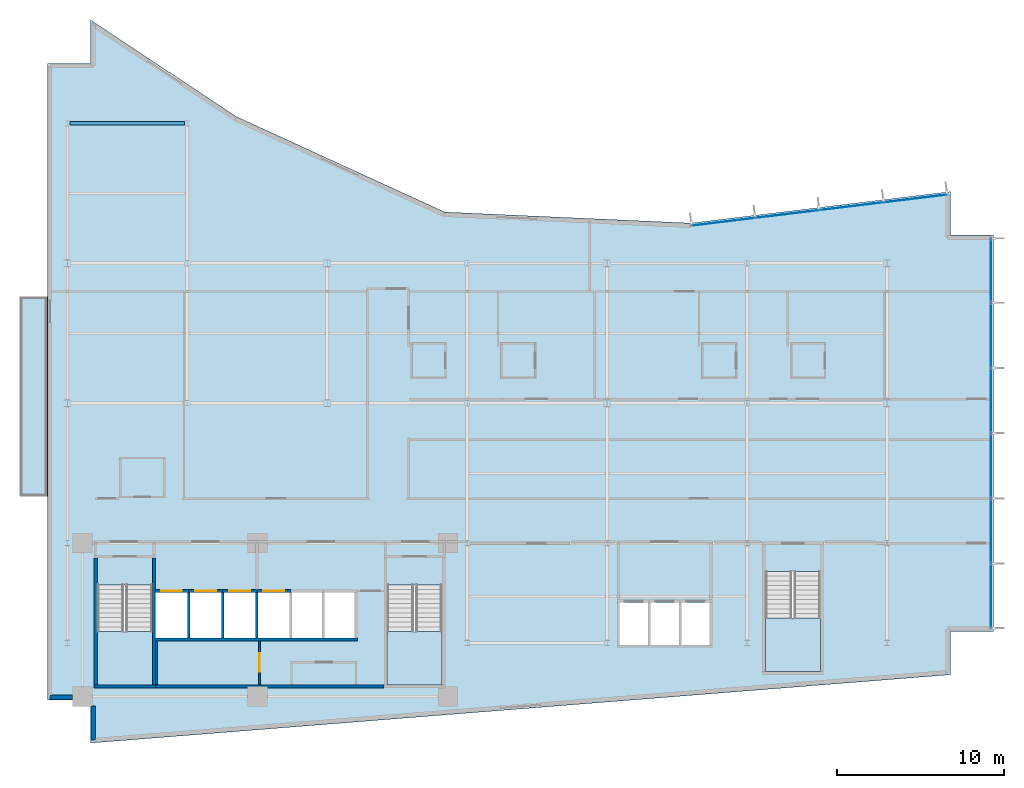
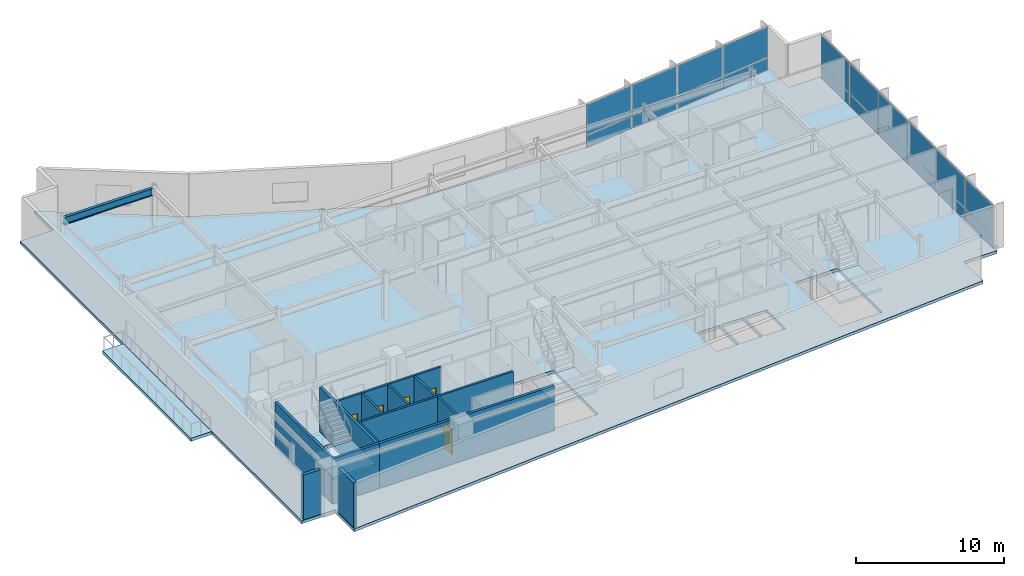
# One storey, part 9 of 17: 20 plates, 16 walls, 5 doors, 5 slabs, 1 beam, 5 openings, 5 elements without a shape of their own.
"""IFC4 building model written with IfcOpenShell, lengths in metres."""

import ifcopenshell
import ifcopenshell.guid

model = None  # the IFC model being written
_history = None  # IfcOwnerHistory: only IFC2X3 demands one
_inside = {}  # id of a spatial element -> (the spatial element, [elements in it])
_under = {}  # id of a project, library or spatial element -> (it, [spatial elements below it])
_declared = {}  # id of a project -> (the project, [libraries it declares])
_typed = {}  # id of a type object -> (the type object, [elements of that type])
_made_of = {}  # id of a material, layer set ... -> (it, [elements and type objects made of it])


def new_model(schema):
    """Start an empty IFC model of exactly this schema.

    Asked for "IFC4X3", IfcOpenShell would pick the latest addendum, in which some entities
    have other attributes; the version numbers below select the first issue.
    IFC2X3 requires an IfcOwnerHistory on every rooted entity: one is made here for all.
    """
    global model, _history
    if schema == "IFC4X3":
        model = ifcopenshell.file(schema_version=(4, 3, 0, 0))
    else:
        model = ifcopenshell.file(schema=schema)
    _inside.clear()
    _under.clear()
    _declared.clear()
    _typed.clear()
    _made_of.clear()
    _history = None
    if model.schema == "IFC2X3":
        org = make("IfcOrganization", Name="unknown")
        user = make(
            "IfcPersonAndOrganization",
            ThePerson=make("IfcPerson", FamilyName="unknown"),
            TheOrganization=org,
        )
        app = make(
            "IfcApplication",
            ApplicationDeveloper=org,
            Version="unknown",
            ApplicationFullName="unknown",
            ApplicationIdentifier="unknown",
        )
        _history = make(
            "IfcOwnerHistory",
            OwningUser=user,
            OwningApplication=app,
            ChangeAction="ADDED",
            CreationDate=0,
        )
    return model


def make(cls, **values):
    """One entity of the class cls with the attributes given. An attribute that is None is left unset."""
    return model.create_entity(
        cls, **{name: value for name, value in values.items() if value is not None}
    )


def rooted(cls, **values):
    """An entity with a GlobalId (a new one), such as an element, a storey or a relation."""
    return make(cls, GlobalId=ifcopenshell.guid.new(), OwnerHistory=_history, **values)


def si_unit(unit_type, name, prefix=None):
    """IfcSIUnit, for example si_unit("LENGTHUNIT", "METRE", prefix="MILLI")."""
    return make("IfcSIUnit", UnitType=unit_type, Prefix=prefix, Name=name)


def assignment(units):
    """IfcUnitAssignment: the units of a project."""
    return None if units is None else make("IfcUnitAssignment", Units=units)


def point(xyz):
    """IfcCartesianPoint."""
    return None if xyz is None else make("IfcCartesianPoint", Coordinates=xyz)


def direction(xyz):
    """IfcDirection."""
    return None if xyz is None else make("IfcDirection", DirectionRatios=xyz)


def frame(location, z_axis=None, x_axis=None):
    """IfcAxis2Placement3D, a coordinate frame: its origin and axes. An axis left out is left unset."""
    return make(
        "IfcAxis2Placement3D",
        Location=point(location),
        Axis=direction(z_axis),
        RefDirection=direction(x_axis),
    )


def frame_2d(location, x_axis=None):
    """IfcAxis2Placement2D, a coordinate frame in the plane: its origin and x axis."""
    return make(
        "IfcAxis2Placement2D", Location=point(location), RefDirection=direction(x_axis)
    )


def origin():
    """The frame at (0, 0, 0) with its axes left unset."""
    return frame((0.0, 0.0, 0.0))


def origin_2d():
    """The frame at (0, 0) in the plane with its x axis left unset."""
    return frame_2d((0.0, 0.0))


def place(relative_to, where):
    """IfcLocalPlacement: puts the frame where relative to a parent placement (None: the world)."""
    return make(
        "IfcLocalPlacement", PlacementRelTo=relative_to, RelativePlacement=where
    )


def context(
    kind, dimensions, precision=None, world=None, true_north=None, identifier=None
):
    """IfcGeometricRepresentationContext, for example the 3D "Model" context."""
    return make(
        "IfcGeometricRepresentationContext",
        ContextIdentifier=identifier,
        ContextType=kind,
        CoordinateSpaceDimension=dimensions,
        Precision=precision,
        WorldCoordinateSystem=world,
        TrueNorth=true_north,
    )


def subcontext(parent, identifier, kind, view, scale=None):
    """IfcGeometricRepresentationSubContext, for example "Body" below "Model"."""
    return make(
        "IfcGeometricRepresentationSubContext",
        ContextIdentifier=identifier,
        ContextType=kind,
        ParentContext=parent,
        TargetScale=scale,
        TargetView=view,
    )


def project(units=None, contexts=None):
    """IfcProject with its units and contexts."""
    return rooted(
        "IfcProject",
        Name="project",
        RepresentationContexts=contexts,
        UnitsInContext=assignment(units),
    )


def spatial(cls, under=None, at=None, **own):
    """A site, building, storey or space (cls), placed at a placement, below another one or the project."""
    s = rooted(cls, ObjectPlacement=at, **own)
    if under is not None:
        _under.setdefault(under.id(), (under, []))[1].append(s)
    return s


def polyline(points):
    """IfcPolyline through the points."""
    return make("IfcPolyline", Points=[point(p) for p in points])


def profile(cls, at=None, kind="AREA", **sizes):
    """A parametric profile (cls). Its sizes go by their IFC names, for example OverallWidth=200.0."""
    return make(cls, ProfileType=kind, Position=at, **sizes)


def rectangle(**sizes):
    """IfcRectangleProfileDef."""
    return profile("IfcRectangleProfileDef", **sizes)


def i_section(**sizes):
    """IfcIShapeProfileDef."""
    return profile("IfcIShapeProfileDef", **sizes)


def outline(outer, holes=None, kind="AREA"):
    """IfcArbitraryClosedProfileDef: a profile drawn as a closed curve; with holes, ...WithVoids."""
    if holes is None:
        return make("IfcArbitraryClosedProfileDef", ProfileType=kind, OuterCurve=outer)
    return make(
        "IfcArbitraryProfileDefWithVoids",
        ProfileType=kind,
        OuterCurve=outer,
        InnerCurves=holes,
    )


def extrude(swept, where, along, depth):
    """IfcExtrudedAreaSolid: the profile swept, set in the frame where, extruded along a direction by depth."""
    return make(
        "IfcExtrudedAreaSolid",
        SweptArea=swept,
        Position=where,
        ExtrudedDirection=direction(along),
        Depth=depth,
    )


def shape(context_of_items, identifier, shape_type, items):
    """IfcShapeRepresentation: the items that make up one representation, for example the "Body"."""
    return make(
        "IfcShapeRepresentation",
        ContextOfItems=context_of_items,
        RepresentationIdentifier=identifier,
        RepresentationType=shape_type,
        Items=items,
    )


def material(Name=None, Category=None):
    """IfcMaterial."""
    return make("IfcMaterial", Name=Name, Category=Category)


def layer(
    of_material, thickness, ventilated=None, Name=None, Category=None, Priority=None
):
    """IfcMaterialLayer: one layer of a wall or slab, of a material (None: an air gap)."""
    return make(
        "IfcMaterialLayer",
        Material=of_material,
        LayerThickness=thickness,
        IsVentilated=ventilated,
        Name=Name,
        Category=Category,
        Priority=Priority,
    )


def layer_set(layers, Name=None):
    """IfcMaterialLayerSet."""
    return make("IfcMaterialLayerSet", MaterialLayers=layers, LayerSetName=Name)


def material_profile(
    of_material, cross_section, Name=None, Category=None, Priority=None
):
    """IfcMaterialProfile: a cross section and its material."""
    return make(
        "IfcMaterialProfile",
        Name=Name,
        Material=of_material,
        Profile=cross_section,
        Priority=Priority,
        Category=Category,
    )


def profile_set(profiles, Name=None, composite=None):
    """IfcMaterialProfileSet."""
    return make(
        "IfcMaterialProfileSet",
        Name=Name,
        MaterialProfiles=profiles,
        CompositeProfile=composite,
    )


def made_of(thing, what):
    """Note that an element or type object is made of a material, layer set ...; save() writes the relation."""
    if what is not None:
        _made_of.setdefault(what.id(), (what, []))[1].append(thing)
    return thing


def type_object(cls, material=None, **own):
    """A type object (cls), such as IfcWallType, which elements share."""
    return made_of(rooted(cls, **own), material)


def element(
    cls,
    number,
    at=None,
    inside=None,
    cuts=None,
    type_object=None,
    material=None,
    context=None,
    identifier="Body",
    shape_type=None,
    held_by="IfcProductDefinitionShape",
    body=None,
    shapes=None,
    **own,
):
    """One element of the class cls, such as IfcWall. Its Tag is "e" and its number.

    at: its placement. inside: the storey or other place that contains it. cuts: it is an
    opening in that element (IfcRelVoidsElement). A single representation is given by context,
    identifier, shape_type and body (its items); several are given by shapes. held_by: the class
    of the entity that holds the representations. save() writes the other relations.
    """
    e = rooted(cls, Tag="e%d" % number, ObjectPlacement=at, **own)
    if body is not None:
        shapes = [shape(context, identifier, shape_type, body)]
    if shapes is not None:
        e.Representation = make(held_by, Representations=shapes)
    if inside is not None:
        _inside.setdefault(inside.id(), (inside, []))[1].append(e)
    if cuts is not None:
        rooted(
            "IfcRelVoidsElement", RelatingBuildingElement=cuts, RelatedOpeningElement=e
        )
    if type_object is not None:
        _typed.setdefault(type_object.id(), (type_object, []))[1].append(e)
    return made_of(e, material)


def fill(opening, filler):
    """IfcRelFillsElement: the door or window that sits in an opening."""
    return rooted(
        "IfcRelFillsElement",
        RelatingOpeningElement=opening,
        RelatedBuildingElement=filler,
    )


def aggregate(whole, parts):
    """IfcRelAggregates: a whole, such as a stair, and the parts it consists of."""
    return rooted("IfcRelAggregates", RelatingObject=whole, RelatedObjects=parts)


def save(model, path):
    """Write the relations noted so far, then the file.

    IfcRelAggregates (storeys below a building ...), IfcRelContainedInSpatialStructure (elements
    in a storey), IfcRelDefinesByType, IfcRelAssociatesMaterial and IfcRelDeclares: one each for
    every whole, place, type object, material and project.
    """
    for whole, parts in _under.values():
        aggregate(whole, parts)
    for where, things in _inside.values():
        rooted(
            "IfcRelContainedInSpatialStructure",
            RelatedElements=things,
            RelatingStructure=where,
        )
    for kind, things in _typed.values():
        rooted("IfcRelDefinesByType", RelatedObjects=things, RelatingType=kind)
    for what, things in _made_of.values():
        rooted("IfcRelAssociatesMaterial", RelatedObjects=things, RelatingMaterial=what)
    for by, libraries in _declared.values():
        rooted("IfcRelDeclares", RelatingContext=by, RelatedDefinitions=libraries)
    model.write(path)


model = new_model("IFC4")

# Units and contexts
model_context = context("Model", 3, precision=1e-05, world=origin(), true_north=direction((0.0, 1.0)))
body_context = subcontext(model_context, "Body", "Model", "MODEL_VIEW")
ifc_project = project(units=[si_unit("LENGTHUNIT", "METRE"), si_unit("AREAUNIT", "SQUARE_METRE"), si_unit("VOLUMEUNIT", "CUBIC_METRE"), si_unit("PLANEANGLEUNIT", "RADIAN"), si_unit("MASSUNIT", "GRAM", prefix="KILO")], contexts=[model_context])

# Site, building, storey
site_placement = place(None, origin())
site = spatial("IfcSite", under=ifc_project, at=site_placement, CompositionType="ELEMENT")
building_placement = place(site_placement, origin())
building = spatial("IfcBuilding", under=site, at=building_placement, Name="Varnakote Quay Hospital", CompositionType="ELEMENT")
storey_placement = place(building_placement, frame((0.0, 0.0, 146.800048828125)))
storey = spatial("IfcBuildingStorey", under=building, at=storey_placement, Name="L36", CompositionType="ELEMENT", Elevation=146.800048828125)

# Beam
ifc_material_1 = material(Name="Structural steel AS/NZS 3679.1 Grade 350 L0 (fy 340 MPa)", Category="steel")
ifc_material_profile = material_profile(ifc_material_1, i_section(OverallWidth=0.22802734375, OverallDepth=0.60205078125, WebThickness=0.010498046875, FlangeThickness=0.014892578125, FilletRadius=0.013916015625, at=origin_2d()), Name="610UB101")
ifc_profile_set = profile_set([ifc_material_profile], Name="Structural steel AS/NZS 3679.1 Grade 350 L0 (fy 340 MPa)")
beam_type = type_object("IfcBeamType", Name="BM-STL-610UB101", PredefinedType="BEAM", material=ifc_profile_set)
beam_placement = place(storey_placement, frame((1.353515625, 37.199951171875, 3.408935546875), z_axis=(1.0, 0.0, 0.0), x_axis=(0.0, 1.0, 0.0)))
element("IfcBeam", 1, at=beam_placement, inside=storey, type_object=beam_type, Name="L36 Primary Floor Beam", PredefinedType="BEAM", context=body_context, shape_type="SweptSolid", body=[
    extrude(i_section(OverallWidth=0.22802734375, OverallDepth=0.60205078125, WebThickness=0.010498046875, FlangeThickness=0.014892578125, FilletRadius=0.013916015625, at=origin_2d()), origin(), (0.0, 0.0, 1.0), 6.89306640625),
])

# Curtain wall, plates
ifc_material_2 = material(Name="Anodised aluminium 6063-T6 Bronze", Category="aluminium")
ifc_layer_1 = layer(ifc_material_2, 0.205078125)
ifc_layer_set_1 = layer_set([ifc_layer_1], Name="Anodised aluminium 6063-T6 Bronze")
curtain_wall_type = type_object("IfcCurtainWallType", Name="CW-SYS-3", PredefinedType="NOTDEFINED", material=ifc_layer_set_1)
curtain_wall_1_placement = place(storey_placement, origin())
curtain_wall_1 = element("IfcCurtainWall", 2, at=curtain_wall_1_placement, inside=storey, type_object=curtain_wall_type, Name="L36 Unitised Bronze Curtain Wall 1", PredefinedType="NOTDEFINED")
ifc_material_3 = material(Name="Double-glazed low-E solar glass", Category="glass")
ifc_layer_2 = layer(ifc_material_3, 0.028076171875)
ifc_layer_set_2 = layer_set([ifc_layer_2], Name="Double-glazed low-E solar glass")
plate_type = type_object("IfcPlateType", Name="CW-PNL-GLZ-28", PredefinedType="CURTAIN_PANEL", material=ifc_layer_set_2)
plate_1_placement = place(storey_placement, frame((56.639892578125, 8.83544921875, 0.07470703125), z_axis=(0.0, 0.0, 1.0), x_axis=(0.0, 1.0, 0.0)))
plate_1 = element("IfcPlate", 3, at=plate_1_placement, type_object=plate_type, Name="-3-L36-1 panel 1.1", PredefinedType="CURTAIN_PANEL", context=body_context, shape_type="SweptSolid", body=[
    extrude(rectangle(XDim=3.80078125, YDim=0.028076171875, at=origin_2d()), origin(), (0.0, 0.0, 1.0), 0.987548828125),
])
plate_2_placement = place(storey_placement, frame((56.639892578125, 8.83544921875, 1.137451171875), z_axis=(0.0, 0.0, 1.0), x_axis=(0.0, 1.0, 0.0)))
plate_2 = element("IfcPlate", 4, at=plate_2_placement, type_object=plate_type, Name="-3-L36-1 panel 1.2", PredefinedType="CURTAIN_PANEL", context=body_context, shape_type="SweptSolid", body=[
    extrude(rectangle(XDim=3.80078125, YDim=0.028076171875, at=origin_2d()), origin(), (0.0, 0.0, 1.0), 2.49755859375),
])
plate_3_placement = place(storey_placement, frame((56.639892578125, 12.72998046875, 0.07470703125), z_axis=(0.0, 0.0, 1.0), x_axis=(0.0, 1.0, 0.0)))
plate_3 = element("IfcPlate", 5, at=plate_3_placement, type_object=plate_type, Name="-3-L36-1 panel 2.1", PredefinedType="CURTAIN_PANEL", context=body_context, shape_type="SweptSolid", body=[
    extrude(rectangle(XDim=3.83837890625, YDim=0.028076171875, at=origin_2d()), origin(), (0.0, 0.0, 1.0), 0.987548828125),
])
plate_4_placement = place(storey_placement, frame((56.639892578125, 12.72998046875, 1.137451171875), z_axis=(0.0, 0.0, 1.0), x_axis=(0.0, 1.0, 0.0)))
plate_4 = element("IfcPlate", 6, at=plate_4_placement, type_object=plate_type, Name="-3-L36-1 panel 2.2", PredefinedType="CURTAIN_PANEL", context=body_context, shape_type="SweptSolid", body=[
    extrude(rectangle(XDim=3.83837890625, YDim=0.028076171875, at=origin_2d()), origin(), (0.0, 0.0, 1.0), 2.49755859375),
])
plate_5_placement = place(storey_placement, frame((56.639892578125, 16.643310546875, 0.07470703125), z_axis=(0.0, 0.0, 1.0), x_axis=(0.0, 1.0, 0.0)))
plate_5 = element("IfcPlate", 7, at=plate_5_placement, type_object=plate_type, Name="-3-L36-1 panel 3.1", PredefinedType="CURTAIN_PANEL", context=body_context, shape_type="SweptSolid", body=[
    extrude(rectangle(XDim=3.83837890625, YDim=0.028076171875, at=origin_2d()), origin(), (0.0, 0.0, 1.0), 0.987548828125),
])
plate_6_placement = place(storey_placement, frame((56.639892578125, 16.643310546875, 1.137451171875), z_axis=(0.0, 0.0, 1.0), x_axis=(0.0, 1.0, 0.0)))
plate_6 = element("IfcPlate", 8, at=plate_6_placement, type_object=plate_type, Name="-3-L36-1 panel 3.2", PredefinedType="CURTAIN_PANEL", context=body_context, shape_type="SweptSolid", body=[
    extrude(rectangle(XDim=3.83837890625, YDim=0.028076171875, at=origin_2d()), origin(), (0.0, 0.0, 1.0), 2.49755859375),
])
plate_7_placement = place(storey_placement, frame((56.639892578125, 20.556640625, 0.07470703125), z_axis=(0.0, 0.0, 1.0), x_axis=(0.0, 1.0, 0.0)))
plate_7 = element("IfcPlate", 9, at=plate_7_placement, type_object=plate_type, Name="-3-L36-1 panel 4.1", PredefinedType="CURTAIN_PANEL", context=body_context, shape_type="SweptSolid", body=[
    extrude(rectangle(XDim=3.83837890625, YDim=0.028076171875, at=origin_2d()), origin(), (0.0, 0.0, 1.0), 0.987548828125),
])
plate_8_placement = place(storey_placement, frame((56.639892578125, 20.556640625, 1.137451171875), z_axis=(0.0, 0.0, 1.0), x_axis=(0.0, 1.0, 0.0)))
plate_8 = element("IfcPlate", 10, at=plate_8_placement, type_object=plate_type, Name="-3-L36-1 panel 4.2", PredefinedType="CURTAIN_PANEL", context=body_context, shape_type="SweptSolid", body=[
    extrude(rectangle(XDim=3.83837890625, YDim=0.028076171875, at=origin_2d()), origin(), (0.0, 0.0, 1.0), 2.49755859375),
])
plate_9_placement = place(storey_placement, frame((56.639892578125, 24.469970703125, 0.07470703125), z_axis=(0.0, 0.0, 1.0), x_axis=(0.0, 1.0, 0.0)))
plate_9 = element("IfcPlate", 11, at=plate_9_placement, type_object=plate_type, Name="-3-L36-1 panel 5.1", PredefinedType="CURTAIN_PANEL", context=body_context, shape_type="SweptSolid", body=[
    extrude(rectangle(XDim=3.83837890625, YDim=0.028076171875, at=origin_2d()), origin(), (0.0, 0.0, 1.0), 0.987548828125),
])
plate_10_placement = place(storey_placement, frame((56.639892578125, 24.469970703125, 1.137451171875), z_axis=(0.0, 0.0, 1.0), x_axis=(0.0, 1.0, 0.0)))
plate_10 = element("IfcPlate", 12, at=plate_10_placement, type_object=plate_type, Name="-3-L36-1 panel 5.2", PredefinedType="CURTAIN_PANEL", context=body_context, shape_type="SweptSolid", body=[
    extrude(rectangle(XDim=3.83837890625, YDim=0.028076171875, at=origin_2d()), origin(), (0.0, 0.0, 1.0), 2.49755859375),
])
plate_11_placement = place(storey_placement, frame((56.639892578125, 28.364501953125, 0.07470703125), z_axis=(0.0, 0.0, 1.0), x_axis=(0.0, 1.0, 0.0)))
plate_11 = element("IfcPlate", 13, at=plate_11_placement, type_object=plate_type, Name="-3-L36-1 panel 6.1", PredefinedType="CURTAIN_PANEL", context=body_context, shape_type="SweptSolid", body=[
    extrude(rectangle(XDim=3.80078125, YDim=0.028076171875, at=origin_2d()), origin(), (0.0, 0.0, 1.0), 0.987548828125),
])
plate_12_placement = place(storey_placement, frame((56.639892578125, 28.364501953125, 1.137451171875), z_axis=(0.0, 0.0, 1.0), x_axis=(0.0, 1.0, 0.0)))
plate_12 = element("IfcPlate", 14, at=plate_12_placement, type_object=plate_type, Name="-3-L36-1 panel 6.2", PredefinedType="CURTAIN_PANEL", context=body_context, shape_type="SweptSolid", body=[
    extrude(rectangle(XDim=3.80078125, YDim=0.028076171875, at=origin_2d()), origin(), (0.0, 0.0, 1.0), 2.49755859375),
])
aggregate(curtain_wall_1, [plate_1, plate_2, plate_3, plate_4, plate_5, plate_6, plate_7, plate_8, plate_9, plate_10, plate_11, plate_12])

curtain_wall_2_placement = place(storey_placement, origin())
curtain_wall_2 = element("IfcCurtainWall", 15, at=curtain_wall_2_placement, inside=storey, type_object=curtain_wall_type, Name="L36 Unitised Bronze Curtain Wall 2", PredefinedType="NOTDEFINED")
plate_13_placement = place(storey_placement, frame((52.09521484375, 32.68359375, 0.07470703125), z_axis=(0.0, 0.0, 1.0), x_axis=(-0.992734295067, -0.12032713492, 0.0)))
plate_13 = element("IfcPlate", 16, at=plate_13_placement, type_object=plate_type, Name="-3-L36-2 panel 1.1", PredefinedType="CURTAIN_PANEL", context=body_context, shape_type="SweptSolid", body=[
    extrude(rectangle(XDim=3.76806640625, YDim=0.028076171875, at=origin_2d()), origin(), (0.0, 0.0, 1.0), 0.987548828125),
])
plate_14_placement = place(storey_placement, frame((52.09521484375, 32.68359375, 1.137451171875), z_axis=(0.0, 0.0, 1.0), x_axis=(-0.992734295067, -0.12032713492, 0.0)))
plate_14 = element("IfcPlate", 17, at=plate_14_placement, type_object=plate_type, Name="-3-L36-2 panel 1.2", PredefinedType="CURTAIN_PANEL", context=body_context, shape_type="SweptSolid", body=[
    extrude(rectangle(XDim=3.76806640625, YDim=0.028076171875, at=origin_2d()), origin(), (0.0, 0.0, 1.0), 2.49755859375),
])
plate_15_placement = place(storey_placement, frame((48.26123046875, 32.218994140625, 0.07470703125), z_axis=(0.0, 0.0, 1.0), x_axis=(-0.992734295067, -0.12032713492, 0.0)))
plate_15 = element("IfcPlate", 18, at=plate_15_placement, type_object=plate_type, Name="-3-L36-2 panel 2.1", PredefinedType="CURTAIN_PANEL", context=body_context, shape_type="SweptSolid", body=[
    extrude(rectangle(XDim=3.8056640625, YDim=0.028076171875, at=origin_2d()), origin(), (0.0, 0.0, 1.0), 0.987548828125),
])
plate_16_placement = place(storey_placement, frame((48.26123046875, 32.218994140625, 1.137451171875), z_axis=(0.0, 0.0, 1.0), x_axis=(-0.992734295067, -0.12032713492, 0.0)))
plate_16 = element("IfcPlate", 19, at=plate_16_placement, type_object=plate_type, Name="-3-L36-2 panel 2.2", PredefinedType="CURTAIN_PANEL", context=body_context, shape_type="SweptSolid", body=[
    extrude(rectangle(XDim=3.8056640625, YDim=0.028076171875, at=origin_2d()), origin(), (0.0, 0.0, 1.0), 2.49755859375),
])
plate_17_placement = place(storey_placement, frame((44.40869140625, 31.751953125, 0.07470703125), z_axis=(0.0, 0.0, 1.0), x_axis=(-0.992734295067, -0.12032713492, 0.0)))
plate_17 = element("IfcPlate", 20, at=plate_17_placement, type_object=plate_type, Name="-3-L36-2 panel 3.1", PredefinedType="CURTAIN_PANEL", context=body_context, shape_type="SweptSolid", body=[
    extrude(rectangle(XDim=3.8056640625, YDim=0.028076171875, at=origin_2d()), origin(), (0.0, 0.0, 1.0), 0.987548828125),
])
plate_18_placement = place(storey_placement, frame((44.40869140625, 31.751953125, 1.137451171875), z_axis=(0.0, 0.0, 1.0), x_axis=(-0.992734295067, -0.12032713492, 0.0)))
plate_18 = element("IfcPlate", 21, at=plate_18_placement, type_object=plate_type, Name="-3-L36-2 panel 3.2", PredefinedType="CURTAIN_PANEL", context=body_context, shape_type="SweptSolid", body=[
    extrude(rectangle(XDim=3.8056640625, YDim=0.028076171875, at=origin_2d()), origin(), (0.0, 0.0, 1.0), 2.49755859375),
])
plate_19_placement = place(storey_placement, frame((40.574951171875, 31.287353515625, 0.07470703125), z_axis=(0.0, 0.0, 1.0), x_axis=(-0.992734295067, -0.12032713492, 0.0)))
plate_19 = element("IfcPlate", 22, at=plate_19_placement, type_object=plate_type, Name="-3-L36-2 panel 4.1", PredefinedType="CURTAIN_PANEL", context=body_context, shape_type="SweptSolid", body=[
    extrude(rectangle(XDim=3.76806640625, YDim=0.028076171875, at=origin_2d()), origin(), (0.0, 0.0, 1.0), 0.987548828125),
])
plate_20_placement = place(storey_placement, frame((40.574951171875, 31.287353515625, 1.137451171875), z_axis=(0.0, 0.0, 1.0), x_axis=(-0.992734295067, -0.12032713492, 0.0)))
plate_20 = element("IfcPlate", 23, at=plate_20_placement, type_object=plate_type, Name="-3-L36-2 panel 4.2", PredefinedType="CURTAIN_PANEL", context=body_context, shape_type="SweptSolid", body=[
    extrude(rectangle(XDim=3.76806640625, YDim=0.028076171875, at=origin_2d()), origin(), (0.0, 0.0, 1.0), 2.49755859375),
])
aggregate(curtain_wall_2, [plate_13, plate_14, plate_15, plate_16, plate_17, plate_18, plate_19, plate_20])

# Stair, slab
ifc_material_4 = material(Name="Concrete N40 (f'c 40 MPa)", Category="concrete")
stair_type = type_object("IfcStairType", Name="STR-CORE-1580", PredefinedType="HALF_TURN_STAIR", material=ifc_material_4)
stair_1_placement = place(storey_placement, origin())
stair_1 = element("IfcStair", 24, at=stair_1_placement, inside=storey, type_object=stair_type, Name="L36 Fire-Isolated Exit Stair ST-01", PredefinedType="HALF_TURN_STAIR")
ifc_material_5 = material(Name="Concrete N40 (f'c 40 MPa)", Category="concrete")
ifc_layer_3 = layer(ifc_material_5, 0.199951171875)
ifc_layer_set_3 = layer_set([ifc_layer_3], Name="Concrete N40 (f'c 40 MPa)")
slab_type_1 = type_object("IfcSlabType", Name="SLB-STAIR-LND-200", PredefinedType="LANDING", material=ifc_layer_set_3)
slab_1_placement = place(storey_placement, frame((0.0, 0.0, 1.77490234375)))
slab_1 = element("IfcSlab", 25, at=slab_1_placement, type_object=slab_type_1, Name="ST-01 landing 1", PredefinedType="LANDING", context=body_context, shape_type="SweptSolid", body=[
    extrude(outline(polyline([(3.0, 6.699951171875), (3.0, 3.5), (6.300048828125, 3.5), (6.300048828125, 6.699951171875), (3.0, 6.699951171875)])), origin(), (0.0, 0.0, 1.0), 0.199951171875),
])
aggregate(stair_1, [slab_1])

stair_2_placement = place(storey_placement, origin())
stair_2 = element("IfcStair", 26, at=stair_2_placement, inside=storey, type_object=stair_type, Name="L36 Fire-Isolated Exit Stair ST-02", PredefinedType="HALF_TURN_STAIR")
slab_2_placement = place(storey_placement, frame((0.0, 0.0, 1.77490234375)))
slab_2 = element("IfcSlab", 27, at=slab_2_placement, type_object=slab_type_1, Name="ST-02 landing 1", PredefinedType="LANDING", context=body_context, shape_type="SweptSolid", body=[
    extrude(outline(polyline([(20.39990234375, 6.699951171875), (20.39990234375, 3.5), (23.699951171875, 3.5), (23.699951171875, 6.699951171875), (20.39990234375, 6.699951171875)])), origin(), (0.0, 0.0, 1.0), 0.199951171875),
])
aggregate(stair_2, [slab_2])

stair_3_placement = place(storey_placement, origin())
stair_3 = element("IfcStair", 28, at=stair_3_placement, inside=storey, type_object=stair_type, Name="L36 Fire-Isolated Exit Stair ST-03", PredefinedType="HALF_TURN_STAIR")
slab_3_placement = place(storey_placement, frame((0.0, 0.0, 1.77490234375)))
slab_3 = element("IfcSlab", 29, at=slab_3_placement, type_object=slab_type_1, Name="ST-03 landing 1", PredefinedType="LANDING", context=body_context, shape_type="SweptSolid", body=[
    extrude(outline(polyline([(43.10009765625, 7.5), (43.10009765625, 4.300048828125), (46.39990234375, 4.300048828125), (46.39990234375, 7.5), (43.10009765625, 7.5)])), origin(), (0.0, 0.0, 1.0), 0.199951171875),
])
aggregate(stair_3, [slab_3])

# Slabs
ifc_material_6 = material(Name="Concrete N50 (f'c 50 MPa)", Category="concrete")
ifc_layer_4 = layer(ifc_material_6, 0.239990234375)
ifc_layer_set_4 = layer_set([ifc_layer_4], Name="Concrete N50 (f'c 50 MPa)")
slab_type_2 = type_object("IfcSlabType", Name="SLB-TERR-200", PredefinedType="FLOOR", material=ifc_layer_set_4)
slab_4_placement = place(storey_placement, frame((0.0, 0.0, -0.239990234375)))
element("IfcSlab", 30, at=slab_4_placement, inside=storey, type_object=slab_type_2, Name="L36 Waterfront Healing Terrace Slab", PredefinedType="FLOOR", context=body_context, shape_type="SweptSolid", body=[
    extrude(outline(polyline([(0.00390625, 14.800048828125), (0.00390625, 26.800048828125), (-1.639892578125, 26.800048828125), (-1.639892578125, 14.800048828125), (0.00390625, 14.800048828125)])), origin(), (0.0, 0.0, 1.0), 0.239990234375),
])
ifc_material_7 = material(Name="Concrete N50 (f'c 50 MPa)", Category="concrete")
ifc_layer_5 = layer(ifc_material_7, 0.239990234375)
ifc_layer_set_5 = layer_set([ifc_layer_5], Name="Concrete N50 (f'c 50 MPa)")
slab_type_3 = type_object("IfcSlabType", Name="SLB-WARD-200", PredefinedType="FLOOR", material=ifc_layer_set_5)
slab_5_placement = place(storey_placement, frame((0.0, 0.0, -0.239990234375)))
element("IfcSlab", 31, at=slab_5_placement, inside=storey, type_object=slab_type_3, Name="L36 Primary Floor Slab", PredefinedType="FLOOR", context=body_context, shape_type="SweptSolid", body=[
    extrude(outline(polyline([(0.0, 2.60009765625), (2.60009765625, 2.60009765625), (2.60009765625, 0.0), (54.199951171875, 4.10009765625), (54.199951171875, 6.699951171875), (56.800048828125, 6.699951171875), (56.800048828125, 30.5), (54.199951171875, 30.5), (54.199951171875, 33.10009765625), (38.6240234375, 31.2119140625), (23.85595703125, 31.8740234375), (11.360107421875, 37.595947265625), (2.60009765625, 43.39990234375), (2.60009765625, 40.800048828125), (0.0, 40.800048828125), (0.0, 2.60009765625)]), holes=[polyline([(3.0, 3.5), (6.300048828125, 3.5), (6.300048828125, 9.49951171875), (3.0, 9.49951171875), (3.0, 3.5)]), polyline([(20.39990234375, 3.5), (23.699951171875, 3.5), (23.699951171875, 9.49951171875), (20.39990234375, 9.49951171875), (20.39990234375, 3.5)]), polyline([(43.10009765625, 4.300048828125), (46.39990234375, 4.300048828125), (46.39990234375, 10.29931640625), (43.10009765625, 10.29931640625), (43.10009765625, 4.300048828125)]), polyline([(6.5, 6.300048828125), (8.39990234375, 6.300048828125), (8.39990234375, 9.050048828125), (6.5, 9.050048828125), (6.5, 6.300048828125)]), polyline([(8.550048828125, 6.300048828125), (10.449951171875, 6.300048828125), (10.449951171875, 9.050048828125), (8.550048828125, 9.050048828125), (8.550048828125, 6.300048828125)]), polyline([(10.60009765625, 6.300048828125), (12.5, 6.300048828125), (12.5, 9.050048828125), (10.60009765625, 9.050048828125), (10.60009765625, 6.300048828125)]), polyline([(12.64990234375, 6.300048828125), (14.550048828125, 6.300048828125), (14.550048828125, 9.050048828125), (12.64990234375, 9.050048828125), (12.64990234375, 6.300048828125)]), polyline([(14.699951171875, 6.300048828125), (16.5, 6.300048828125), (16.5, 9.050048828125), (14.699951171875, 9.050048828125), (14.699951171875, 6.300048828125)]), polyline([(16.64990234375, 6.300048828125), (18.449951171875, 6.300048828125), (18.449951171875, 9.050048828125), (16.64990234375, 9.050048828125), (16.64990234375, 6.300048828125)]), polyline([(34.35009765625, 5.89990234375), (36.050048828125, 5.89990234375), (36.050048828125, 8.449951171875), (34.35009765625, 8.449951171875), (34.35009765625, 5.89990234375)]), polyline([(36.199951171875, 5.89990234375), (37.89990234375, 5.89990234375), (37.89990234375, 8.449951171875), (36.199951171875, 8.449951171875), (36.199951171875, 5.89990234375)]), polyline([(38.050048828125, 5.89990234375), (39.75, 5.89990234375), (39.75, 8.449951171875), (38.050048828125, 8.449951171875), (38.050048828125, 5.89990234375)])]), origin(), (0.0, 0.0, 1.0), 0.239990234375),
])

# Walls
ifc_material_8 = material(Name="Concrete N65 (f'c 65 MPa)", Category="concrete")
ifc_layer_6 = layer(ifc_material_8, 0.199951171875)
ifc_layer_set_6 = layer_set([ifc_layer_6], Name="Concrete N65 (f'c 65 MPa)")
wall_type_1 = type_object("IfcWallType", Name="WL-CORE-N65-200", PredefinedType="SHEAR", material=ifc_layer_set_6)
wall_1_placement = place(storey_placement, frame((6.5, 3.39990234375, 0.0), z_axis=(0.0, 0.0, 1.0), x_axis=(1.0, 0.0, 0.0)))
element("IfcWall", 32, at=wall_1_placement, inside=storey, type_object=wall_type_1, Name="L36 Rear Core South Shear Wall", PredefinedType="SHEAR", context=body_context, shape_type="SweptSolid", body=[
    extrude(rectangle(XDim=13.699951171875, YDim=0.199951171875, at=frame_2d((6.85009765625, 0.0))), origin(), (0.0, 0.0, 1.0), 3.7099609375),
])
ifc_material_9 = material(Name="Precast concrete N50 (f'c 50 MPa)", Category="concrete")
ifc_layer_7 = layer(ifc_material_9, 0.260009765625)
ifc_layer_set_7 = layer_set([ifc_layer_7], Name="Precast concrete N50 (f'c 50 MPa)")
wall_type_2 = type_object("IfcWallType", Name="WL-EXT-BRICK-260", PredefinedType="STANDARD", material=ifc_layer_set_7)
wall_2_placement = place(storey_placement, frame((2.760009765625, 2.215087890625, 0.0), z_axis=(0.0, 0.0, 1.0), x_axis=(0.0, -1.0, 0.0)))
element("IfcWall", 33, at=wall_2_placement, inside=storey, type_object=wall_type_2, Name="L36 Brick-Faced Precast Exterior Wall", PredefinedType="STANDARD", context=body_context, shape_type="SweptSolid", body=[
    extrude(rectangle(XDim=2.0419921875, YDim=0.260009765625, at=frame_2d((1.02099609375, 0.0))), origin(), (0.0, 0.0, 1.0), 3.7099609375),
])
wall_3_placement = place(storey_placement, frame((0.159912109375, 2.760009765625, 0.0), z_axis=(0.0, 0.0, 1.0), x_axis=(1.0, 0.0, 0.0)))
element("IfcWall", 34, at=wall_3_placement, inside=storey, type_object=wall_type_2, Name="L36 Brick-Faced Precast Exterior Wall", PredefinedType="STANDARD", context=body_context, shape_type="SweptSolid", body=[
    extrude(rectangle(XDim=1.35498046875, YDim=0.260009765625, at=frame_2d((0.677490234375, 0.0))), origin(), (0.0, 0.0, 1.0), 3.7099609375),
])
ifc_material_10 = material(Name="Concrete N50 (f'c 50 MPa)", Category="concrete")
ifc_layer_8 = layer(ifc_material_10, 0.14990234375)
ifc_layer_set_8 = layer_set([ifc_layer_8], Name="Concrete N50 (f'c 50 MPa)")
wall_type_3 = type_object("IfcWallType", Name="WL-SHAFT-N50-150", PredefinedType="SHEAR", material=ifc_layer_set_8)
for number, where, z_axis, x_axis, name in (
    (35, (8.47509765625, 6.300048828125, 0.0), (0.0, 0.0, 1.0), (0.0, 1.0, 0.0), "L36 LF-FF1 Hoistway Divider Wall"),
    (36, (10.52490234375, 6.300048828125, 0.0), (0.0, 0.0, 1.0), (0.0, 1.0, 0.0), "L36 LF-FF2 Hoistway Divider Wall"),
    (37, (12.574951171875, 6.300048828125, 0.0), (0.0, 0.0, 1.0), (0.0, 1.0, 0.0), "L36 LF-SV1 Hoistway Divider Wall"),
):
    element("IfcWall", number, at=place(storey_placement, frame(where, z_axis=z_axis, x_axis=x_axis)), inside=storey, type_object=wall_type_3, Name=name, PredefinedType="SHEAR", context=body_context, shape_type="SweptSolid", body=[
        extrude(rectangle(XDim=2.75, YDim=0.14990234375, at=frame_2d((1.375, 0.0))), origin(), (0.0, 0.0, 1.0), 3.7099609375),
    ])
ifc_material_11 = material(Name="Concrete N50 (f'c 50 MPa)", Category="concrete")
ifc_layer_9 = layer(ifc_material_11, 0.159912109375)
ifc_layer_set_9 = layer_set([ifc_layer_9], Name="Concrete N50 (f'c 50 MPa)")
wall_type_4 = type_object("IfcWallType", Name="WL-SHAFT-N50-160", PredefinedType="SHEAR", material=ifc_layer_set_9)
wall_4_placement = place(storey_placement, frame((6.5, 6.219970703125, 0.0), z_axis=(0.0, 0.0, 1.0), x_axis=(1.0, 0.0, 0.0)))
element("IfcWall", 38, at=wall_4_placement, inside=storey, type_object=wall_type_4, Name="L36 REAR Lift Bank Back Shear Wall", PredefinedType="SHEAR", context=body_context, shape_type="SweptSolid", body=[
    extrude(rectangle(XDim=12.110107421875, YDim=0.159912109375, at=frame_2d((6.05517578125, 0.0))), origin(), (0.0, 0.0, 1.0), 3.7099609375),
])

# Wall, opening, door
wall_5_placement = place(storey_placement, frame((6.5, 9.1298828125, 0.0), z_axis=(0.0, 0.0, 1.0), x_axis=(1.0, 0.0, 0.0)))
wall_5 = element("IfcWall", 39, at=wall_5_placement, inside=storey, type_object=wall_type_4, Name="L36 LF-FF1 Hoistway Front Wall", PredefinedType="SHEAR", context=body_context, shape_type="SweptSolid", body=[
    extrude(rectangle(XDim=1.97509765625, YDim=0.159912109375, at=frame_2d((0.987548828125, 0.0))), origin(), (0.0, 0.0, 1.0), 3.7099609375),
])
opening_1_placement = place(wall_5_placement, frame((0.324951171875, 0.0, 0.0)))
opening_1 = element("IfcOpeningElement", 40, at=opening_1_placement, cuts=wall_5, Name="Opening LD-FF1-L36", PredefinedType="OPENING", context=body_context, shape_type="SweptSolid", body=[
    extrude(rectangle(XDim=1.25, YDim=2.14990234375, at=frame_2d((0.625, 1.074951171875))), frame((0.0, 0.08984375, 0.0), z_axis=(0.0, -1.0, 0.0), x_axis=(1.0, 0.0, 0.0)), (0.0, 0.0, 1.0), 0.179931640625),
])
ifc_material_12 = material(Name="Stainless steel lift landing sliding door", Category="steel")
door_type_1 = type_object("IfcDoorType", Name="DR-LIFT-LD-1250x2150", OperationType="NOTDEFINED", PredefinedType="DOOR", material=ifc_material_12)
door_1_placement = place(opening_1_placement, origin())
door_1 = element("IfcDoor", 41, at=door_1_placement, inside=storey, type_object=door_type_1, Name="L36 LF-FF1 Lift Landing Sliding Door", OperationType="SLIDING_TO_LEFT", OverallHeight=2.14990234375, OverallWidth=1.25, PredefinedType="DOOR", context=body_context, shape_type="SweptSolid", body=[
    extrude(rectangle(XDim=1.25, YDim=2.14990234375, at=frame_2d((0.625, 1.074951171875))), frame((0.0, 0.02490234375, 0.0), z_axis=(0.0, -1.0, 0.0), x_axis=(1.0, 0.0, 0.0)), (0.0, 0.0, 1.0), 0.050048828125),
])
fill(opening_1, door_1)

wall_6_placement = place(storey_placement, frame((8.47509765625, 9.1298828125, 0.0), z_axis=(0.0, 0.0, 1.0), x_axis=(1.0, 0.0, 0.0)))
wall_6 = element("IfcWall", 42, at=wall_6_placement, inside=storey, type_object=wall_type_4, Name="L36 LF-FF2 Hoistway Front Wall", PredefinedType="SHEAR", context=body_context, shape_type="SweptSolid", body=[
    extrude(rectangle(XDim=2.0498046875, YDim=0.159912109375, at=frame_2d((1.02490234375, 0.0))), origin(), (0.0, 0.0, 1.0), 3.7099609375),
])
opening_2_placement = place(wall_6_placement, frame((0.39990234375, 0.0, 0.0)))
opening_2 = element("IfcOpeningElement", 43, at=opening_2_placement, cuts=wall_6, Name="Opening LD-FF2-L36", PredefinedType="OPENING", context=body_context, shape_type="SweptSolid", body=[
    extrude(rectangle(XDim=1.25, YDim=2.14990234375, at=frame_2d((0.625, 1.074951171875))), frame((0.0, 0.08984375, 0.0), z_axis=(0.0, -1.0, 0.0), x_axis=(1.0, 0.0, 0.0)), (0.0, 0.0, 1.0), 0.179931640625),
])
door_2_placement = place(opening_2_placement, origin())
door_2 = element("IfcDoor", 44, at=door_2_placement, inside=storey, type_object=door_type_1, Name="L36 LF-FF2 Lift Landing Sliding Door", OperationType="SLIDING_TO_LEFT", OverallHeight=2.14990234375, OverallWidth=1.25, PredefinedType="DOOR", context=body_context, shape_type="SweptSolid", body=[
    extrude(rectangle(XDim=1.25, YDim=2.14990234375, at=frame_2d((0.625, 1.074951171875))), frame((0.0, 0.02490234375, 0.0), z_axis=(0.0, -1.0, 0.0), x_axis=(1.0, 0.0, 0.0)), (0.0, 0.0, 1.0), 0.050048828125),
])
fill(opening_2, door_2)

wall_7_placement = place(storey_placement, frame((10.52490234375, 9.1298828125, 0.0), z_axis=(0.0, 0.0, 1.0), x_axis=(1.0, 0.0, 0.0)))
wall_7 = element("IfcWall", 45, at=wall_7_placement, inside=storey, type_object=wall_type_4, Name="L36 LF-SV1 Hoistway Front Wall", PredefinedType="SHEAR", context=body_context, shape_type="SweptSolid", body=[
    extrude(rectangle(XDim=2.050048828125, YDim=0.159912109375, at=frame_2d((1.02490234375, 0.0))), origin(), (0.0, 0.0, 1.0), 3.7099609375),
])
opening_3_placement = place(wall_7_placement, frame((0.39990234375, 0.0, 0.0)))
opening_3 = element("IfcOpeningElement", 46, at=opening_3_placement, cuts=wall_7, Name="Opening LD-SV1-L36", PredefinedType="OPENING", context=body_context, shape_type="SweptSolid", body=[
    extrude(rectangle(XDim=1.25, YDim=2.14990234375, at=frame_2d((0.625, 1.074951171875))), frame((0.0, 0.08984375, 0.0), z_axis=(0.0, -1.0, 0.0), x_axis=(1.0, 0.0, 0.0)), (0.0, 0.0, 1.0), 0.179931640625),
])
door_3_placement = place(opening_3_placement, origin())
door_3 = element("IfcDoor", 47, at=door_3_placement, inside=storey, type_object=door_type_1, Name="L36 LF-SV1 Lift Landing Sliding Door", OperationType="SLIDING_TO_LEFT", OverallHeight=2.14990234375, OverallWidth=1.25, PredefinedType="DOOR", context=body_context, shape_type="SweptSolid", body=[
    extrude(rectangle(XDim=1.25, YDim=2.14990234375, at=frame_2d((0.625, 1.074951171875))), frame((0.0, 0.02490234375, 0.0), z_axis=(0.0, -1.0, 0.0), x_axis=(1.0, 0.0, 0.0)), (0.0, 0.0, 1.0), 0.050048828125),
])
fill(opening_3, door_3)

wall_8_placement = place(storey_placement, frame((12.574951171875, 9.1298828125, 0.0), z_axis=(0.0, 0.0, 1.0), x_axis=(1.0, 0.0, 0.0)))
wall_8 = element("IfcWall", 48, at=wall_8_placement, inside=storey, type_object=wall_type_4, Name="L36 LF-SV2 Hoistway Front Wall", PredefinedType="SHEAR", context=body_context, shape_type="SweptSolid", body=[
    extrude(rectangle(XDim=2.050048828125, YDim=0.159912109375, at=frame_2d((1.02490234375, 0.0))), origin(), (0.0, 0.0, 1.0), 3.7099609375),
])
opening_4_placement = place(wall_8_placement, frame((0.39990234375, 0.0, 0.0)))
opening_4 = element("IfcOpeningElement", 49, at=opening_4_placement, cuts=wall_8, Name="Opening LD-SV2-L36", PredefinedType="OPENING", context=body_context, shape_type="SweptSolid", body=[
    extrude(rectangle(XDim=1.25, YDim=2.14990234375, at=frame_2d((0.625, 1.074951171875))), frame((0.0, 0.08984375, 0.0), z_axis=(0.0, -1.0, 0.0), x_axis=(1.0, 0.0, 0.0)), (0.0, 0.0, 1.0), 0.179931640625),
])
door_4_placement = place(opening_4_placement, origin())
door_4 = element("IfcDoor", 50, at=door_4_placement, inside=storey, type_object=door_type_1, Name="L36 LF-SV2 Lift Landing Sliding Door", OperationType="SLIDING_TO_LEFT", OverallHeight=2.14990234375, OverallWidth=1.25, PredefinedType="DOOR", context=body_context, shape_type="SweptSolid", body=[
    extrude(rectangle(XDim=1.25, YDim=2.14990234375, at=frame_2d((0.625, 1.074951171875))), frame((0.0, 0.02490234375, 0.0), z_axis=(0.0, -1.0, 0.0), x_axis=(1.0, 0.0, 0.0)), (0.0, 0.0, 1.0), 0.050048828125),
])
fill(opening_4, door_4)

# Walls
ifc_material_13 = material(Name="Concrete N50 (f'c 50 MPa)", Category="concrete")
ifc_layer_10 = layer(ifc_material_13, 0.199951171875)
ifc_layer_set_10 = layer_set([ifc_layer_10], Name="Concrete N50 (f'c 50 MPa)")
wall_type_5 = type_object("IfcWallType", Name="WL-SHAFT-N50-200", PredefinedType="SHEAR", material=ifc_layer_set_10)
wall_9_placement = place(storey_placement, frame((2.800048828125, 3.39990234375, 0.0), z_axis=(0.0, 0.0, 1.0), x_axis=(1.0, 0.0, 0.0)))
element("IfcWall", 51, at=wall_9_placement, inside=storey, type_object=wall_type_5, Name="L36 Stair ST1 South Shaft Wall", PredefinedType="SHEAR", context=body_context, shape_type="SweptSolid", body=[
    extrude(rectangle(XDim=3.699951171875, YDim=0.199951171875, at=frame_2d((1.85009765625, 0.0))), origin(), (0.0, 0.0, 1.0), 3.7099609375),
])
for number, where, z_axis, x_axis, name in (
    (52, (2.89990234375, 3.5, 0.0), (0.0, 0.0, 1.0), (0.0, 1.0, 0.0), "L36 Stair ST1 West Shaft Wall"),
    (53, (6.39990234375, 3.5, 0.0), (0.0, 0.0, 1.0), (0.0, 1.0, 0.0), "L36 Stair ST1 East Shaft Wall"),
):
    element("IfcWall", number, at=place(storey_placement, frame(where, z_axis=z_axis, x_axis=x_axis)), inside=storey, type_object=wall_type_5, Name=name, PredefinedType="SHEAR", context=body_context, shape_type="SweptSolid", body=[
        extrude(rectangle(XDim=7.60009765625, YDim=0.199951171875, at=frame_2d((3.800048828125, 0.0))), origin(), (0.0, 0.0, 1.0), 3.7099609375),
    ])
ifc_material_14 = material(Name="Smoke-proof clinical partition", Category="gypsum")
ifc_layer_11 = layer(ifc_material_14, 0.1201171875)
ifc_layer_set_11 = layer_set([ifc_layer_11], Name="Smoke-proof clinical partition")
wall_type_6 = type_object("IfcWallType", Name="WL-SMOKE-120", PredefinedType="PARTITIONING", material=ifc_layer_set_11)
wall_10_placement = place(storey_placement, frame((6.56005859375, 3.52001953125, 0.0), z_axis=(0.0, 0.0, 1.0), x_axis=(0.0, 1.0, 0.0)))
element("IfcWall", 54, at=wall_10_placement, inside=storey, type_object=wall_type_6, Name="L36 Core West Store West Wall", PredefinedType="PARTITIONING", context=body_context, shape_type="SweptSolid", body=[
    extrude(rectangle(XDim=2.619873046875, YDim=0.1201171875, at=frame_2d((1.31005859375, 0.0))), origin(), (0.0, 0.0, 1.0), 3.7099609375),
])

# Wall, opening, door
ifc_material_15 = material(Name="Fire-rated clinical gypsum partition", Category="gypsum")
ifc_layer_12 = layer(ifc_material_15, 0.139892578125)
ifc_layer_set_12 = layer_set([ifc_layer_12], Name="Fire-rated clinical gypsum partition")
wall_type_7 = type_object("IfcWallType", Name="WL-WARD-140", PredefinedType="PARTITIONING", material=ifc_layer_set_12)
wall_11_placement = place(storey_placement, frame((12.72998046875, 3.52001953125, 0.0), z_axis=(0.0, 0.0, 1.0), x_axis=(0.0, 1.0, 0.0)))
wall_11 = element("IfcWall", 55, at=wall_11_placement, inside=storey, type_object=wall_type_7, Name="L36 Core Clean Equipment Store East Wall", PredefinedType="PARTITIONING", context=body_context, shape_type="SweptSolid", body=[
    extrude(rectangle(XDim=2.619873046875, YDim=0.139892578125, at=frame_2d((1.31005859375, 0.0))), origin(), (0.0, 0.0, 1.0), 3.7099609375),
])
opening_5_placement = place(wall_11_placement, frame((0.760009765625, 0.0, 0.0)))
opening_5 = element("IfcOpeningElement", 56, at=opening_5_placement, cuts=wall_11, Name="Opening D-L36-CR01", PredefinedType="OPENING", context=body_context, shape_type="SweptSolid", body=[
    extrude(rectangle(XDim=1.10009765625, YDim=2.10009765625, at=frame_2d((0.550048828125, 1.050048828125))), frame((0.0, 0.079833984375, 0.0), z_axis=(0.0, -1.0, 0.0), x_axis=(1.0, 0.0, 0.0)), (0.0, 0.0, 1.0), 0.159912109375),
])
ifc_material_16 = material(Name="Acoustic timber clinical consult door", Category="wood")
door_type_2 = type_object("IfcDoorType", Name="DR-CLIN-FD30S-1100x2100", OperationType="NOTDEFINED", PredefinedType="DOOR", material=ifc_material_16)
door_5_placement = place(opening_5_placement, origin())
door_5 = element("IfcDoor", 57, at=door_5_placement, inside=storey, type_object=door_type_2, Name="L36 Core Clean Equipment Store Door", OperationType="SINGLE_SWING_RIGHT", OverallHeight=2.10009765625, OverallWidth=1.10009765625, PredefinedType="DOOR", context=body_context, shape_type="SweptSolid", body=[
    extrude(rectangle(XDim=1.10009765625, YDim=2.10009765625, at=frame_2d((0.550048828125, 1.050048828125))), frame((0.0, 0.02490234375, 0.0), z_axis=(0.0, -1.0, 0.0), x_axis=(1.0, 0.0, 0.0)), (0.0, 0.0, 1.0), 0.050048828125),
])
fill(opening_5, door_5)

save(model, "model.ifc")
